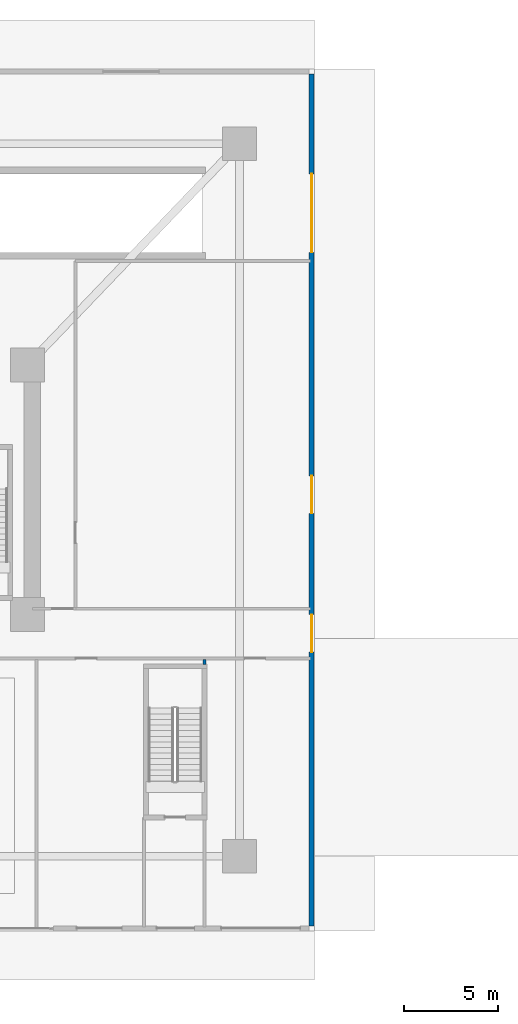
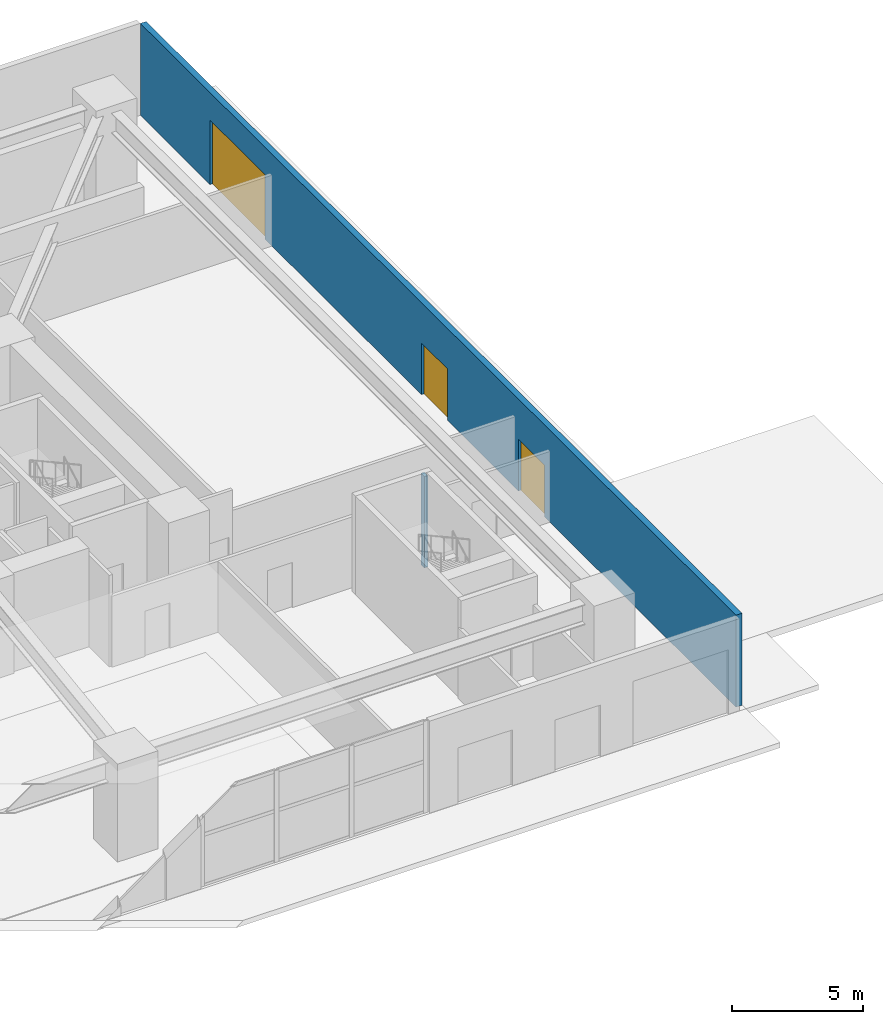
# One storey, part 13 of 18: 3 doors, 2 walls, 3 openings.
"""IFC4 building model written with IfcOpenShell, lengths in metres."""

from ifc_helpers import new_model, si_unit, direction, frame, frame_2d, origin, place, context, subcontext, project, spatial, rectangle, extrude, material, layer, layer_set, type_object, element, fill, save


model = new_model("IFC4")

# Units and contexts
model_context = context("Model", 3, precision=1e-05, world=origin(), true_north=direction((0.0, 1.0)))
body_context = subcontext(model_context, "Body", "Model", "MODEL_VIEW")
ifc_project = project(units=[si_unit("LENGTHUNIT", "METRE"), si_unit("AREAUNIT", "SQUARE_METRE"), si_unit("VOLUMEUNIT", "CUBIC_METRE"), si_unit("PLANEANGLEUNIT", "RADIAN"), si_unit("MASSUNIT", "GRAM", prefix="KILO")], contexts=[model_context])

# Site, building, storey
site_placement = place(None, origin())
site = spatial("IfcSite", under=ifc_project, at=site_placement, CompositionType="ELEMENT")
building_placement = place(site_placement, origin())
building = spatial("IfcBuilding", under=site, at=building_placement, Name="Solvane Sanctuary Tower", CompositionType="ELEMENT")
storey_placement = place(building_placement, origin())
storey = spatial("IfcBuildingStorey", under=building, at=storey_placement, Name="L01", CompositionType="ELEMENT", Elevation=0.0)

# Wall
ifc_material_1 = material(Name="Acoustic Gypsum Partition Board")
ifc_layer_1 = layer(ifc_material_1, 0.14990234375, Name="Acoustic Gypsum Partition Board")
ifc_layer_set_1 = layer_set([ifc_layer_1], Name="Acoustic Gypsum Partition Board")
wall_type_1 = type_object("IfcWallType", Name="Wall W-CORR-150", PredefinedType="PARTITIONING", material=ifc_layer_set_1)
wall_1_placement = place(storey_placement, frame((58.1298828125, 14.239990234375, 0.0), z_axis=(0.0, 0.0, 1.0), x_axis=(0.0, 1.0, 0.0)))
element("IfcWall", 1, at=wall_1_placement, inside=storey, type_object=wall_type_1, Name="L01 ST-5 Portal North Closer Wall", PredefinedType="PARTITIONING", context=body_context, shape_type="SweptSolid", body=[
    extrude(rectangle(XDim=0.260009765625, YDim=0.14990234375, at=frame_2d((0.1298828125, 0.0))), origin(), (0.0, 0.0, 1.0), 4.2548828125),
])

# Wall, openings, doors
ifc_material_2 = material(Name="Precast concrete C40/50", Category="concrete")
ifc_layer_2 = layer(ifc_material_2, 0.260009765625, Name="Precast concrete C40/50")
ifc_layer_set_2 = layer_set([ifc_layer_2], Name="Precast concrete C40/50")
wall_type_2 = type_object("IfcWallType", Name="Wall W-EXT-250", PredefinedType="STANDARD", material=ifc_layer_set_2)
wall_2_placement = place(storey_placement, frame((63.85009765625, 0.280029296875, 0.0), z_axis=(0.0, 0.0, 1.0), x_axis=(0.0, 1.0, 0.0)))
wall_2 = element("IfcWall", 2, at=wall_2_placement, inside=storey, type_object=wall_type_2, Name="L01 East Podium Facade Wall", PredefinedType="STANDARD", context=body_context, shape_type="SweptSolid", body=[
    extrude(rectangle(XDim=45.43994140625, YDim=0.260009765625, at=frame_2d((22.719970703125, 0.0))), origin(), (0.0, 0.0, 1.0), 4.280029296875),
])
opening_1_placement = place(wall_2_placement, frame((14.60009765625, 0.0, 0.0)))
opening_1 = element("IfcOpeningElement", 3, at=opening_1_placement, cuts=wall_2, Name="Opening D-L01-10", PredefinedType="OPENING", context=body_context, shape_type="SweptSolid", body=[
    extrude(rectangle(XDim=2.0, YDim=2.39990234375, at=frame_2d((1.0, 1.199951171875))), frame((0.0, 0.139892578125, 0.0), z_axis=(0.0, -1.0, 0.0), x_axis=(1.0, 0.0, 0.0)), (0.0, 0.0, 1.0), 0.280029296875),
])
opening_2_placement = place(wall_2_placement, frame((22.0, 0.0, 0.0)))
opening_2 = element("IfcOpeningElement", 4, at=opening_2_placement, cuts=wall_2, Name="Opening D-L01-11", PredefinedType="OPENING", context=body_context, shape_type="SweptSolid", body=[
    extrude(rectangle(XDim=2.0, YDim=2.39990234375, at=frame_2d((1.0, 1.199951171875))), frame((0.0, 0.139892578125, 0.0), z_axis=(0.0, -1.0, 0.0), x_axis=(1.0, 0.0, 0.0)), (0.0, 0.0, 1.0), 0.280029296875),
])
opening_3_placement = place(wall_2_placement, frame((35.919921875, 0.0, 0.0)))
opening_3 = element("IfcOpeningElement", 5, at=opening_3_placement, cuts=wall_2, Name="Opening D-L01-12", PredefinedType="OPENING", context=body_context, shape_type="SweptSolid", body=[
    extrude(rectangle(XDim=4.199951171875, YDim=3.0, at=frame_2d((2.10009765625, 1.5))), frame((0.0, 0.139892578125, 0.0), z_axis=(0.0, -1.0, 0.0), x_axis=(1.0, 0.0, 0.0)), (0.0, 0.0, 1.0), 0.280029296875),
])
ifc_material_3 = material(Name="Anodised Aluminium 6063-T6", Category="aluminium")
door_type_1 = type_object("IfcDoorType", Name="Door D-EXIT-2000", OperationType="NOTDEFINED", PredefinedType="DOOR", material=ifc_material_3)
door_1_placement = place(opening_1_placement, frame((2.0, 0.0, 0.0), z_axis=(0.0, 0.0, 1.0), x_axis=(-1.0, 0.0, 0.0)))
door_1 = element("IfcDoor", 6, at=door_1_placement, inside=storey, type_object=door_type_1, Name="L01 East Protected Exit Passage Street Door", OperationType="SINGLE_SWING_LEFT", OverallHeight=2.39990234375, OverallWidth=2.0, PredefinedType="DOOR", context=body_context, shape_type="SweptSolid", body=[
    extrude(rectangle(XDim=2.0, YDim=2.39990234375, at=frame_2d((1.0, 1.199951171875))), frame((0.0, 0.02490234375, 0.0), z_axis=(0.0, -1.0, 0.0), x_axis=(1.0, 0.0, 0.0)), (0.0, 0.0, 1.0), 0.050048828125),
])
fill(opening_1, door_1)
door_2_placement = place(opening_2_placement, frame((2.0, 0.0, 0.0), z_axis=(0.0, 0.0, 1.0), x_axis=(-1.0, 0.0, 0.0)))
door_2 = element("IfcDoor", 7, at=door_2_placement, inside=storey, type_object=door_type_1, Name="L01 East Cloister Street Exit Door", OperationType="SINGLE_SWING_RIGHT", OverallHeight=2.39990234375, OverallWidth=2.0, PredefinedType="DOOR", context=body_context, shape_type="SweptSolid", body=[
    extrude(rectangle(XDim=2.0, YDim=2.39990234375, at=frame_2d((1.0, 1.199951171875))), frame((0.0, 0.02490234375, 0.0), z_axis=(0.0, -1.0, 0.0), x_axis=(1.0, 0.0, 0.0)), (0.0, 0.0, 1.0), 0.050048828125),
])
fill(opening_2, door_2)
ifc_material_4 = material(Name="Architectural Stainless Steel 316", Category="steel")
door_type_2 = type_object("IfcDoorType", Name="Door D-GATE-4200", OperationType="NOTDEFINED", PredefinedType="GATE", material=ifc_material_4)
door_3_placement = place(opening_3_placement, origin())
door_3 = element("IfcDoor", 8, at=door_3_placement, inside=storey, type_object=door_type_2, Name="L01 Service Vehicle Ramp Exit Gate", OperationType="SLIDING_TO_LEFT", OverallHeight=3.0, OverallWidth=4.199951171875, PredefinedType="GATE", context=body_context, shape_type="SweptSolid", body=[
    extrude(rectangle(XDim=4.199951171875, YDim=3.0, at=frame_2d((2.10009765625, 1.5))), frame((0.0, 0.02490234375, 0.0), z_axis=(0.0, -1.0, 0.0), x_axis=(1.0, 0.0, 0.0)), (0.0, 0.0, 1.0), 0.050048828125),
])
fill(opening_3, door_3)

save(model, "model.ifc")
